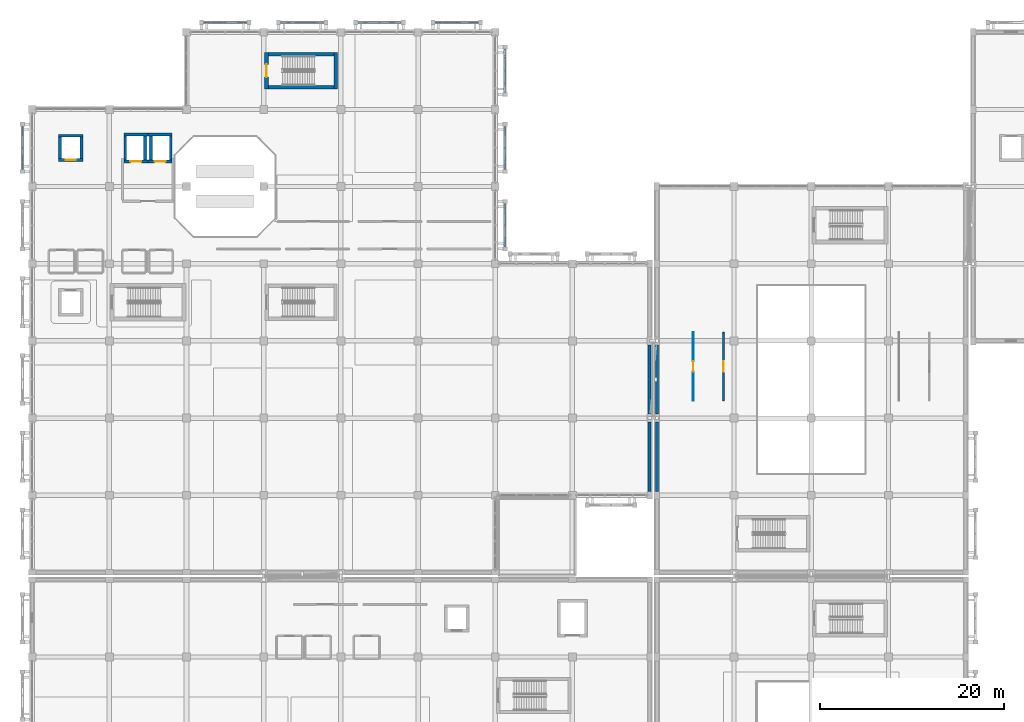
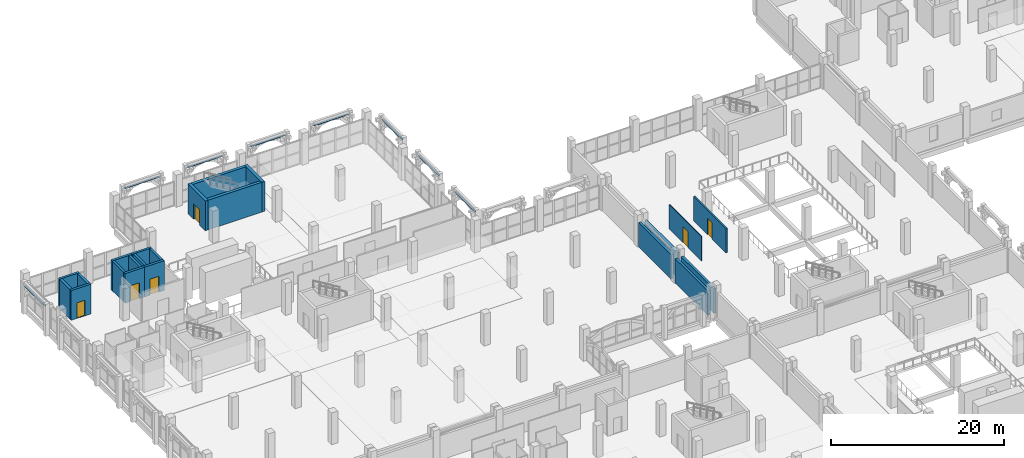
# One storey, part 116 of 137: 30 walls, 6 doors, 6 openings.
"""IFC4 building model written with IfcOpenShell, lengths in metres."""

from ifc_helpers import new_model, si_unit, direction, frame, frame_2d, origin, place, context, subcontext, project, spatial, rectangle, extrude, material, layer, layer_set, type_object, element, fill, save


model = new_model("IFC4")

# Units and contexts
model_context = context("Model", 3, precision=1e-05, world=origin(), true_north=direction((0.0, 1.0)))
body_context = subcontext(model_context, "Body", "Model", "MODEL_VIEW")
ifc_project = project(units=[si_unit("LENGTHUNIT", "METRE"), si_unit("AREAUNIT", "SQUARE_METRE"), si_unit("VOLUMEUNIT", "CUBIC_METRE"), si_unit("PLANEANGLEUNIT", "RADIAN"), si_unit("MASSUNIT", "GRAM", prefix="KILO")], contexts=[model_context])

# Site, building, storey
site_placement = place(None, origin())
site = spatial("IfcSite", under=ifc_project, at=site_placement, CompositionType="ELEMENT")
building_placement = place(site_placement, origin())
building = spatial("IfcBuilding", under=site, at=building_placement, Name="Xazarin Passage Department Store", CompositionType="ELEMENT")
storey_placement = place(building_placement, frame((0.0, 0.0, 5.39990234375)))
storey = spatial("IfcBuildingStorey", under=building, at=storey_placement, Name="L01", CompositionType="ELEMENT", Elevation=5.39990234375)

# Wall, opening, door
ifc_material_1 = material(Name="Buff Baku clay brick", Category="masonry")
ifc_layer_1 = layer(ifc_material_1, 0.18505859375)
ifc_layer_set_1 = layer_set([ifc_layer_1], Name="Buff Baku clay brick")
wall_type_1 = type_object("IfcWallType", Name="ARC-W-CMP185", PredefinedType="PARTITIONING", material=ifc_layer_set_1)
wall_1_placement = place(storey_placement, frame((75.25, 69.8701171875, 0.0), z_axis=(0.0, 0.0, 1.0), x_axis=(0.0, 1.0, 0.0)))
wall_1 = element("IfcWall", 1, at=wall_1_placement, inside=storey, type_object=wall_type_1, Name="L01 Designer Eyewear Shop Front Wall 0110", PredefinedType="PARTITIONING", context=body_context, shape_type="SweptSolid", body=[
    extrude(rectangle(XDim=7.4599609375, YDim=0.18505859375, at=frame_2d((3.72998046875, 0.0))), origin(), (0.0, 0.0, 1.0), 3.4501953125),
])
opening_1_placement = place(wall_1_placement, frame((3.169921875, 0.0, 0.0)))
opening_1 = element("IfcOpeningElement", 2, at=opening_1_placement, cuts=wall_1, Name="Opening ID21", PredefinedType="OPENING", context=body_context, shape_type="SweptSolid", body=[
    extrude(rectangle(XDim=1.1201171875, YDim=2.340087890625, at=frame_2d((0.56005859375, 1.169921875))), frame((0.0, 0.1025390625, 0.0), z_axis=(0.0, -1.0, 0.0), x_axis=(1.0, 0.0, 0.0)), (0.0, 0.0, 1.0), 0.205078125),
])
ifc_material_2 = material(Name="Timber acoustic leaf", Category="wood")
door_type_1 = type_object("IfcDoorType", Name="ARC-DR-ID21", OperationType="NOTDEFINED", PredefinedType="DOOR", material=ifc_material_2)
door_1_placement = place(opening_1_placement, origin())
door_1 = element("IfcDoor", 3, at=door_1_placement, inside=storey, type_object=door_type_1, Name="DR-INT-L01-0110", OperationType="SINGLE_SWING_LEFT", OverallHeight=2.340087890625, OverallWidth=1.1201171875, PredefinedType="DOOR", context=body_context, shape_type="SweptSolid", body=[
    extrude(rectangle(XDim=1.1201171875, YDim=2.340087890625, at=frame_2d((0.56005859375, 1.169921875))), frame((0.0, 0.02490234375, 0.0), z_axis=(0.0, -1.0, 0.0), x_axis=(1.0, 0.0, 0.0)), (0.0, 0.0, 1.0), 0.050048828125),
])
fill(opening_1, door_1)

# Walls
ifc_layer_2 = layer(ifc_material_1, 0.320068359375)
ifc_layer_set_2 = layer_set([ifc_layer_2], Name="Buff Baku clay brick")
wall_type_2 = type_object("IfcWallType", Name="ARC-W-EXT320", PredefinedType="SOLIDWALL", material=ifc_layer_set_2)
for number, where, z_axis, x_axis, name in (
    (4, (67.199951171875, 60.02490234375, 0.0), (0.0, 0.0, 1.0), (0.0, 1.0, 0.0), "L01 V1 Exterior Wall 030"),
    (5, (67.199951171875, 68.425048828125, 0.0), (0.0, 0.0, 1.0), (0.0, 1.0, 0.0), "L01 V1 Exterior Wall 031"),
    (6, (68.0, 60.02490234375, 0.0), (0.0, 0.0, 1.0), (0.0, 1.0, 0.0), "L01 V2N Exterior Wall 159"),
    (7, (68.0, 68.425048828125, 0.0), (0.0, 0.0, 1.0), (0.0, 1.0, 0.0), "L01 V2N Exterior Wall 160"),
):
    element("IfcWall", number, at=place(storey_placement, frame(where, z_axis=z_axis, x_axis=x_axis)), inside=storey, type_object=wall_type_2, Name=name, PredefinedType="SOLIDWALL", context=body_context, shape_type="SweptSolid", body=[
        extrude(rectangle(XDim=7.550048828125, YDim=0.320068359375, at=frame_2d((3.77490234375, 0.0))), origin(), (0.0, 0.0, 1.0), 3.4501953125),
    ])
ifc_material_3 = material(Name="Precast concrete C40/50", Category="concrete")
ifc_layer_3 = layer(ifc_material_3, 0.2099609375)
ifc_layer_set_3 = layer_set([ifc_layer_3], Name="Precast concrete C40/50")
wall_type_3 = type_object("IfcWallType", Name="ARC-W-PAR210", PredefinedType="PARAPET", material=ifc_layer_set_3)
wall_2_placement = place(storey_placement, frame((18.669921875, 111.050048828125, 3.880126953125), z_axis=(0.0, 0.0, 1.0), x_axis=(1.0, 0.0, 0.0)))
element("IfcWall", 8, at=wall_2_placement, inside=storey, type_object=wall_type_3, Name="L01 V1 Pierced-Arch Spandrel Lintel 0002", PredefinedType="PARAPET", context=body_context, shape_type="SweptSolid", body=[
    extrude(rectangle(XDim=4.66015625, YDim=0.2099609375, at=frame_2d((2.330078125, 0.0))), origin(), (0.0, 0.0, 1.0), 0.119873046875),
])
for number, where, z_axis, x_axis, name in (
    (9, (27.070068359375, 111.050048828125, 3.880126953125), (0.0, 0.0, 1.0), (1.0, 0.0, 0.0), "L01 V1 Pierced-Arch Spandrel Lintel 0010"),
    (10, (35.469970703125, 111.050048828125, 3.880126953125), (0.0, 0.0, 1.0), (1.0, 0.0, 0.0), "L01 V1 Pierced-Arch Spandrel Lintel 0018"),
    (11, (43.8701171875, 111.050048828125, 3.880126953125), (0.0, 0.0, 1.0), (1.0, 0.0, 0.0), "L01 V1 Pierced-Arch Spandrel Lintel 0024"),
    (12, (-1.050048828125, 95.070068359375, 3.880126953125), (0.0, 0.0, 1.0), (0.0, 1.0, 0.0), "L01 V1 Pierced-Arch Spandrel Lintel 0064"),
):
    element("IfcWall", number, at=place(storey_placement, frame(where, z_axis=z_axis, x_axis=x_axis)), inside=storey, type_object=wall_type_3, Name=name, PredefinedType="PARAPET", context=body_context, shape_type="SweptSolid", body=[
        extrude(rectangle(XDim=4.659912109375, YDim=0.2099609375, at=frame_2d((2.330078125, 0.0))), origin(), (0.0, 0.0, 1.0), 0.119873046875),
    ])
wall_3_placement = place(storey_placement, frame((51.449951171875, 86.669921875, 3.880126953125), z_axis=(0.0, 0.0, 1.0), x_axis=(0.0, 1.0, 0.0)))
element("IfcWall", 13, at=wall_3_placement, inside=storey, type_object=wall_type_3, Name="L01 V1 Pierced-Arch Spandrel Lintel 0072", PredefinedType="PARAPET", context=body_context, shape_type="SweptSolid", body=[
    extrude(rectangle(XDim=4.66015625, YDim=0.2099609375, at=frame_2d((2.330078125, 0.0))), origin(), (0.0, 0.0, 1.0), 0.119873046875),
])
for number, where, z_axis, x_axis, name in (
    (14, (51.449951171875, 95.070068359375, 3.880126953125), (0.0, 0.0, 1.0), (0.0, 1.0, 0.0), "L01 V1 Pierced-Arch Spandrel Lintel 0076"),
    (15, (51.449951171875, 103.469970703125, 3.880126953125), (0.0, 0.0, 1.0), (0.0, 1.0, 0.0), "L01 V1 Pierced-Arch Spandrel Lintel 0080"),
):
    element("IfcWall", number, at=place(storey_placement, frame(where, z_axis=z_axis, x_axis=x_axis)), inside=storey, type_object=wall_type_3, Name=name, PredefinedType="PARAPET", context=body_context, shape_type="SweptSolid", body=[
        extrude(rectangle(XDim=4.659912109375, YDim=0.2099609375, at=frame_2d((2.330078125, 0.0))), origin(), (0.0, 0.0, 1.0), 0.119873046875),
    ])

# Wall, opening, door
ifc_material_4 = material(Name="Gypsum board acoustic partition")
ifc_layer_4 = layer(ifc_material_4, 0.094970703125)
ifc_layer_set_4 = layer_set([ifc_layer_4], Name="Gypsum board acoustic partition")
wall_type_4 = type_object("IfcWallType", Name="ARC-W-PRT095", PredefinedType="PARTITIONING", material=ifc_layer_set_4)
wall_4_placement = place(storey_placement, frame((71.949951171875, 69.8701171875, 0.0), z_axis=(0.0, 0.0, 1.0), x_axis=(0.0, 1.0, 0.0)))
wall_4 = element("IfcWall", 16, at=wall_4_placement, inside=storey, type_object=wall_type_4, Name="L01 Designer Eyewear Shop Front Wall 0109", PredefinedType="PARTITIONING", context=body_context, shape_type="SweptSolid", body=[
    extrude(rectangle(XDim=7.4599609375, YDim=0.094970703125, at=frame_2d((3.72998046875, 0.0))), origin(), (0.0, 0.0, 1.0), 3.4501953125),
])
opening_2_placement = place(wall_4_placement, frame((3.169921875, 0.0, 0.0)))
opening_2 = element("IfcOpeningElement", 17, at=opening_2_placement, cuts=wall_4, Name="Opening ID20", PredefinedType="OPENING", context=body_context, shape_type="SweptSolid", body=[
    extrude(rectangle(XDim=1.1201171875, YDim=2.219970703125, at=frame_2d((0.56005859375, 1.10986328125))), frame((0.0, 0.057373046875, 0.0), z_axis=(0.0, -1.0, 0.0), x_axis=(1.0, 0.0, 0.0)), (0.0, 0.0, 1.0), 0.114990234375),
])
door_type_2 = type_object("IfcDoorType", Name="ARC-DR-ID20", OperationType="NOTDEFINED", PredefinedType="DOOR", material=ifc_material_2)
door_2_placement = place(opening_2_placement, origin())
door_2 = element("IfcDoor", 18, at=door_2_placement, inside=storey, type_object=door_type_2, Name="DR-INT-L01-0109", OperationType="SINGLE_SWING_RIGHT", OverallHeight=2.219970703125, OverallWidth=1.1201171875, PredefinedType="DOOR", context=body_context, shape_type="SweptSolid", body=[
    extrude(rectangle(XDim=1.1201171875, YDim=2.219970703125, at=frame_2d((0.56005859375, 1.10986328125))), frame((0.0, 0.02490234375, 0.0), z_axis=(0.0, -1.0, 0.0), x_axis=(1.0, 0.0, 0.0)), (0.0, 0.0, 1.0), 0.050048828125),
])
fill(opening_2, door_2)

ifc_material_5 = material(Name="Concrete C40/50", Category="concrete")
ifc_layer_5 = layer(ifc_material_5, 0.31005859375)
ifc_layer_set_5 = layer_set([ifc_layer_5], Name="Concrete C40/50")
wall_type_5 = type_object("IfcWallType", Name="STR-W-LFT310", PredefinedType="SHEAR", material=ifc_layer_set_5)
wall_5_placement = place(storey_placement, frame((9.969970703125, 95.925048828125, 0.0), z_axis=(0.0, 0.0, 1.0), x_axis=(1.0, 0.0, 0.0)))
wall_5 = element("IfcWall", 19, at=wall_5_placement, inside=storey, type_object=wall_type_5, Name="L01 Lift FL1 Shaft Wall South", PredefinedType="SHEAR", context=body_context, shape_type="SweptSolid", body=[
    extrude(rectangle(XDim=2.630126953125, YDim=0.31005859375, at=frame_2d((1.31494140625, 0.0))), origin(), (0.0, 0.0, 1.0), 4.2001953125),
])
opening_3_placement = place(wall_5_placement, frame((0.715087890625, 0.0, 0.0)))
opening_3 = element("IfcOpeningElement", 20, at=opening_3_placement, cuts=wall_5, Name="Opening LD-FL1-L01", PredefinedType="OPENING", context=body_context, shape_type="SweptSolid", body=[
    extrude(rectangle(XDim=1.199951171875, YDim=2.25, at=frame_2d((0.60009765625, 1.125))), frame((0.0, 0.1650390625, 0.0), z_axis=(0.0, -1.0, 0.0), x_axis=(1.0, 0.0, 0.0)), (0.0, 0.0, 1.0), 0.330078125),
])
ifc_material_6 = material(Name="Steel S355", Category="steel")
door_type_3 = type_object("IfcDoorType", Name="ARC-DR-LD120", OperationType="NOTDEFINED", PredefinedType="DOOR", material=ifc_material_6)
door_3_placement = place(opening_3_placement, origin())
door_3 = element("IfcDoor", 21, at=door_3_placement, inside=storey, type_object=door_type_3, Name="DR-LD-FL1-L01", OperationType="SLIDING_TO_LEFT", OverallHeight=2.25, OverallWidth=1.199951171875, PredefinedType="DOOR", context=body_context, shape_type="SweptSolid", body=[
    extrude(rectangle(XDim=1.199951171875, YDim=2.25, at=frame_2d((0.60009765625, 1.125))), frame((0.0, 0.02490234375, 0.0), z_axis=(0.0, -1.0, 0.0), x_axis=(1.0, 0.0, 0.0)), (0.0, 0.0, 1.0), 0.050048828125),
])
fill(opening_3, door_3)

# Walls
wall_6_placement = place(storey_placement, frame((9.969970703125, 98.875, 0.0), z_axis=(0.0, 0.0, 1.0), x_axis=(1.0, 0.0, 0.0)))
element("IfcWall", 22, at=wall_6_placement, inside=storey, type_object=wall_type_5, Name="L01 Lift FL1 Shaft Wall North", PredefinedType="SHEAR", context=body_context, shape_type="SweptSolid", body=[
    extrude(rectangle(XDim=2.630126953125, YDim=0.31005859375, at=frame_2d((1.31494140625, 0.0))), origin(), (0.0, 0.0, 1.0), 4.2001953125),
])
for number, where, z_axis, x_axis, name in (
    (23, (10.125, 96.080078125, 0.0), (0.0, 0.0, 1.0), (0.0, 1.0, 0.0), "L01 Lift FL1 Shaft Wall West"),
    (24, (12.27490234375, 96.080078125, 0.0), (0.0, 0.0, 1.0), (0.0, 1.0, 0.0), "L01 Lift FL1 Shaft Wall East"),
):
    element("IfcWall", number, at=place(storey_placement, frame(where, z_axis=z_axis, x_axis=x_axis)), inside=storey, type_object=wall_type_5, Name=name, PredefinedType="SHEAR", context=body_context, shape_type="SweptSolid", body=[
        extrude(rectangle(XDim=2.639892578125, YDim=0.31005859375, at=frame_2d((1.31982421875, 0.0))), origin(), (0.0, 0.0, 1.0), 4.2001953125),
    ])

# Wall, opening, door
wall_7_placement = place(storey_placement, frame((12.60009765625, 95.925048828125, 0.0), z_axis=(0.0, 0.0, 1.0), x_axis=(1.0, 0.0, 0.0)))
wall_7 = element("IfcWall", 25, at=wall_7_placement, inside=storey, type_object=wall_type_5, Name="L01 Lift FL2 Shaft Wall South", PredefinedType="SHEAR", context=body_context, shape_type="SweptSolid", body=[
    extrude(rectangle(XDim=2.6298828125, YDim=0.31005859375, at=frame_2d((1.31494140625, 0.0))), origin(), (0.0, 0.0, 1.0), 4.2001953125),
])
opening_4_placement = place(wall_7_placement, frame((0.715087890625, 0.0, 0.0)))
opening_4 = element("IfcOpeningElement", 26, at=opening_4_placement, cuts=wall_7, Name="Opening LD-FL2-L01", PredefinedType="OPENING", context=body_context, shape_type="SweptSolid", body=[
    extrude(rectangle(XDim=1.199951171875, YDim=2.25, at=frame_2d((0.60009765625, 1.125))), frame((0.0, 0.1650390625, 0.0), z_axis=(0.0, -1.0, 0.0), x_axis=(1.0, 0.0, 0.0)), (0.0, 0.0, 1.0), 0.330078125),
])
door_4_placement = place(opening_4_placement, origin())
door_4 = element("IfcDoor", 27, at=door_4_placement, inside=storey, type_object=door_type_3, Name="DR-LD-FL2-L01", OperationType="SLIDING_TO_LEFT", OverallHeight=2.25, OverallWidth=1.199951171875, PredefinedType="DOOR", context=body_context, shape_type="SweptSolid", body=[
    extrude(rectangle(XDim=1.199951171875, YDim=2.25, at=frame_2d((0.60009765625, 1.125))), frame((0.0, 0.02490234375, 0.0), z_axis=(0.0, -1.0, 0.0), x_axis=(1.0, 0.0, 0.0)), (0.0, 0.0, 1.0), 0.050048828125),
])
fill(opening_4, door_4)

# Walls
wall_8_placement = place(storey_placement, frame((12.60009765625, 98.875, 0.0), z_axis=(0.0, 0.0, 1.0), x_axis=(1.0, 0.0, 0.0)))
element("IfcWall", 28, at=wall_8_placement, inside=storey, type_object=wall_type_5, Name="L01 Lift FL2 Shaft Wall North", PredefinedType="SHEAR", context=body_context, shape_type="SweptSolid", body=[
    extrude(rectangle(XDim=2.6298828125, YDim=0.31005859375, at=frame_2d((1.31494140625, 0.0))), origin(), (0.0, 0.0, 1.0), 4.2001953125),
])
for number, where, z_axis, x_axis, name in (
    (29, (12.925048828125, 96.080078125, 0.0), (0.0, 0.0, 1.0), (0.0, 1.0, 0.0), "L01 Lift FL2 Shaft Wall West"),
    (30, (15.074951171875, 96.080078125, 0.0), (0.0, 0.0, 1.0), (0.0, 1.0, 0.0), "L01 Lift FL2 Shaft Wall East"),
):
    element("IfcWall", number, at=place(storey_placement, frame(where, z_axis=z_axis, x_axis=x_axis)), inside=storey, type_object=wall_type_5, Name=name, PredefinedType="SHEAR", context=body_context, shape_type="SweptSolid", body=[
        extrude(rectangle(XDim=2.639892578125, YDim=0.31005859375, at=frame_2d((1.31982421875, 0.0))), origin(), (0.0, 0.0, 1.0), 4.2001953125),
    ])

# Wall, opening, door
wall_9_placement = place(storey_placement, frame((2.8701171875, 96.074951171875, 0.0), z_axis=(0.0, 0.0, 1.0), x_axis=(1.0, 0.0, 0.0)))
wall_9 = element("IfcWall", 31, at=wall_9_placement, inside=storey, type_object=wall_type_5, Name="L01 Lift PL2 Shaft Wall South", PredefinedType="SHEAR", context=body_context, shape_type="SweptSolid", body=[
    extrude(rectangle(XDim=2.659912109375, YDim=0.31005859375, at=frame_2d((1.330078125, 0.0))), origin(), (0.0, 0.0, 1.0), 4.2001953125),
])
opening_5_placement = place(wall_9_placement, frame((0.780029296875, 0.0, 0.0)))
opening_5 = element("IfcOpeningElement", 32, at=opening_5_placement, cuts=wall_9, Name="Opening LD-PL2-L01", PredefinedType="OPENING", context=body_context, shape_type="SweptSolid", body=[
    extrude(rectangle(XDim=1.10009765625, YDim=2.199951171875, at=frame_2d((0.550048828125, 1.10009765625))), frame((0.0, 0.1650390625, 0.0), z_axis=(0.0, -1.0, 0.0), x_axis=(1.0, 0.0, 0.0)), (0.0, 0.0, 1.0), 0.330078125),
])
door_type_4 = type_object("IfcDoorType", Name="ARC-DR-LD110", OperationType="NOTDEFINED", PredefinedType="DOOR", material=ifc_material_6)
door_5_placement = place(opening_5_placement, origin())
door_5 = element("IfcDoor", 33, at=door_5_placement, inside=storey, type_object=door_type_4, Name="DR-LD-PL2-L01", OperationType="SLIDING_TO_LEFT", OverallHeight=2.199951171875, OverallWidth=1.10009765625, PredefinedType="DOOR", context=body_context, shape_type="SweptSolid", body=[
    extrude(rectangle(XDim=1.10009765625, YDim=2.199951171875, at=frame_2d((0.550048828125, 1.10009765625))), frame((0.0, 0.02490234375, 0.0), z_axis=(0.0, -1.0, 0.0), x_axis=(1.0, 0.0, 0.0)), (0.0, 0.0, 1.0), 0.050048828125),
])
fill(opening_5, door_5)

# Walls
wall_10_placement = place(storey_placement, frame((2.8701171875, 98.72509765625, 0.0), z_axis=(0.0, 0.0, 1.0), x_axis=(1.0, 0.0, 0.0)))
element("IfcWall", 34, at=wall_10_placement, inside=storey, type_object=wall_type_5, Name="L01 Lift PL2 Shaft Wall North", PredefinedType="SHEAR", context=body_context, shape_type="SweptSolid", body=[
    extrude(rectangle(XDim=2.659912109375, YDim=0.31005859375, at=frame_2d((1.330078125, 0.0))), origin(), (0.0, 0.0, 1.0), 4.2001953125),
])
for number, where, z_axis, x_axis, name in (
    (35, (3.02490234375, 96.22998046875, 0.0), (0.0, 0.0, 1.0), (0.0, 1.0, 0.0), "L01 Lift PL2 Shaft Wall West"),
    (36, (5.375, 96.22998046875, 0.0), (0.0, 0.0, 1.0), (0.0, 1.0, 0.0), "L01 Lift PL2 Shaft Wall East"),
):
    element("IfcWall", number, at=place(storey_placement, frame(where, z_axis=z_axis, x_axis=x_axis)), inside=storey, type_object=wall_type_5, Name=name, PredefinedType="SHEAR", context=body_context, shape_type="SweptSolid", body=[
        extrude(rectangle(XDim=2.340087890625, YDim=0.31005859375, at=frame_2d((1.169921875, 0.0))), origin(), (0.0, 0.0, 1.0), 4.2001953125),
    ])

# Wall, opening, door
ifc_layer_6 = layer(ifc_material_5, 0.389892578125)
ifc_layer_set_6 = layer_set([ifc_layer_6], Name="Concrete C40/50")
wall_type_6 = type_object("IfcWallType", Name="STR-W-SHR390", PredefinedType="SHEAR", material=ifc_layer_set_6)
wall_11_placement = place(storey_placement, frame((25.5048828125, 107.81005859375, 0.0), z_axis=(0.0, 0.0, 1.0), x_axis=(0.0, -1.0, 0.0)))
wall_11 = element("IfcWall", 37, at=wall_11_placement, inside=storey, type_object=wall_type_6, Name="L01 Core K2 West Shear Wall", PredefinedType="SHEAR", context=body_context, shape_type="SweptSolid", body=[
    extrude(rectangle(XDim=4.02001953125, YDim=0.389892578125, at=frame_2d((2.010009765625, 0.0))), origin(), (0.0, 0.0, 1.0), 4.2001953125),
])
opening_6_placement = place(wall_11_placement, frame((1.31005859375, 0.0, 0.0)))
opening_6 = element("IfcOpeningElement", 38, at=opening_6_placement, cuts=wall_11, Name="Opening FD2", PredefinedType="OPENING", context=body_context, shape_type="SweptSolid", body=[
    extrude(rectangle(XDim=1.39990234375, YDim=2.14990234375, at=frame_2d((0.699951171875, 1.074951171875))), frame((0.0, 0.204833984375, 0.0), z_axis=(0.0, -1.0, 0.0), x_axis=(1.0, 0.0, 0.0)), (0.0, 0.0, 1.0), 0.409912109375),
])
door_type_5 = type_object("IfcDoorType", Name="ARC-DR-STR140", OperationType="NOTDEFINED", PredefinedType="DOOR", material=ifc_material_6)
door_6_placement = place(opening_6_placement, origin())
door_6 = element("IfcDoor", 39, at=door_6_placement, inside=storey, type_object=door_type_5, Name="DR-STR-K2-L01", OperationType="SINGLE_SWING_LEFT", OverallHeight=2.14990234375, OverallWidth=1.39990234375, PredefinedType="DOOR", context=body_context, shape_type="SweptSolid", body=[
    extrude(rectangle(XDim=1.39990234375, YDim=2.14990234375, at=frame_2d((0.699951171875, 1.074951171875))), frame((0.0, 0.02490234375, 0.0), z_axis=(0.0, -1.0, 0.0), x_axis=(1.0, 0.0, 0.0)), (0.0, 0.0, 1.0), 0.050048828125),
])
fill(opening_6, door_6)

# Walls
wall_12_placement = place(storey_placement, frame((33.044921875, 103.7900390625, 0.0), z_axis=(0.0, 0.0, 1.0), x_axis=(0.0, 1.0, 0.0)))
element("IfcWall", 40, at=wall_12_placement, inside=storey, type_object=wall_type_6, Name="L01 Core K2 East Shear Wall", PredefinedType="SHEAR", context=body_context, shape_type="SweptSolid", body=[
    extrude(rectangle(XDim=4.02001953125, YDim=0.389892578125, at=frame_2d((2.010009765625, 0.0))), origin(), (0.0, 0.0, 1.0), 4.2001953125),
])
for number, where, z_axis, x_axis, name in (
    (41, (25.699951171875, 103.985107421875, 0.0), (0.0, 0.0, 1.0), (1.0, 0.0, 0.0), "L01 Core K2 South Shear Wall"),
    (42, (25.699951171875, 107.614990234375, 0.0), (0.0, 0.0, 1.0), (1.0, 0.0, 0.0), "L01 Core K2 North Shear Wall"),
):
    element("IfcWall", number, at=place(storey_placement, frame(where, z_axis=z_axis, x_axis=x_axis)), inside=storey, type_object=wall_type_6, Name=name, PredefinedType="SHEAR", context=body_context, shape_type="SweptSolid", body=[
        extrude(rectangle(XDim=7.150146484375, YDim=0.389892578125, at=frame_2d((3.5751953125, 0.0))), origin(), (0.0, 0.0, 1.0), 4.2001953125),
    ])

save(model, "model.ifc")
